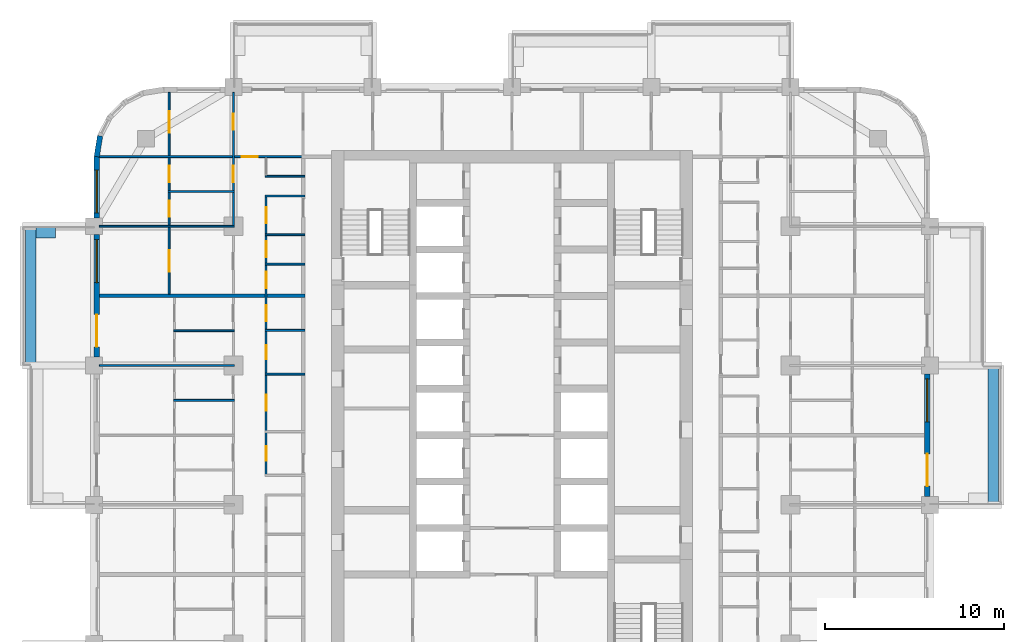
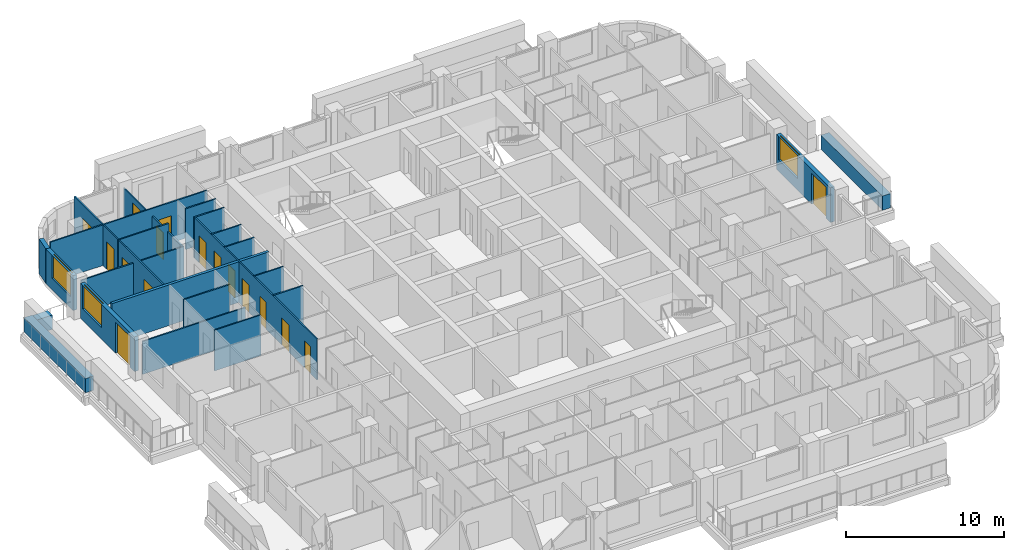
# One storey, part 10 of 18: 23 walls, 16 doors, 3 windows, 19 openings.
"""IFC4 building model written with IfcOpenShell, lengths in metres."""

from ifc_helpers import new_model, si_unit, direction, frame, frame_2d, origin, place, context, subcontext, project, spatial, rectangle, extrude, material, layer, layer_set, type_object, element, fill, save


model = new_model("IFC4")

# Units and contexts
model_context = context("Model", 3, precision=1e-05, world=origin(), true_north=direction((0.0, 1.0)))
body_context = subcontext(model_context, "Body", "Model", "MODEL_VIEW")
ifc_project = project(units=[si_unit("LENGTHUNIT", "METRE"), si_unit("AREAUNIT", "SQUARE_METRE"), si_unit("VOLUMEUNIT", "CUBIC_METRE"), si_unit("PLANEANGLEUNIT", "RADIAN"), si_unit("MASSUNIT", "GRAM", prefix="KILO")], contexts=[model_context])

# Site, building, storey
site_placement = place(None, origin())
site = spatial("IfcSite", under=ifc_project, at=site_placement, CompositionType="ELEMENT")
building_placement = place(site_placement, origin())
building = spatial("IfcBuilding", under=site, at=building_placement, Name="Ludao Terraces", CompositionType="ELEMENT")
storey_placement = place(building_placement, frame((0.0, 0.0, 75.0)))
storey = spatial("IfcBuildingStorey", under=building, at=storey_placement, Name="L20", CompositionType="ELEMENT", Elevation=75.0)

# Walls
ifc_material_1 = material(Name="Concrete C40", Category="concrete")
ifc_layer_1 = layer(ifc_material_1, 0.60009765625)
ifc_layer_set_1 = layer_set([ifc_layer_1], Name="ENV Planter trough 600")
wall_type_1 = type_object("IfcWallType", Name="ENV Planter trough 600", PredefinedType="USERDEFINED", material=ifc_layer_set_1)
for number, where, z_axis, x_axis, name in (
    (1, (111.949951171875, 65.0, 0.0), (0.0, 0.0, 1.0), (0.0, 1.0, 0.0), "PL-L20-E3"),
    (2, (58.050048828125, 72.800048828125, 0.0), (0.0, 0.0, 1.0), (0.0, 1.0, 0.0), "PL-L20-W4"),
):
    element("IfcWall", number, at=place(storey_placement, frame(where, z_axis=z_axis, x_axis=x_axis)), inside=storey, type_object=wall_type_1, Name=name, ObjectType="PLANTER", PredefinedType="USERDEFINED", context=body_context, shape_type="SweptSolid", body=[
        extrude(rectangle(XDim=7.800048828125, YDim=0.60009765625, at=frame_2d((3.89990234375, 0.0))), origin(), (0.0, 0.0, 1.0), 1.10009765625),
    ])
wall_1_placement = place(storey_placement, frame((58.35009765625, 80.25, 0.0), z_axis=(0.0, 0.0, 1.0), x_axis=(1.0, 0.0, 0.0)))
element("IfcWall", 3, at=wall_1_placement, inside=storey, type_object=wall_type_1, Name="PL-L20-W4-SB", ObjectType="PLANTER", PredefinedType="USERDEFINED", context=body_context, shape_type="SweptSolid", body=[
    extrude(rectangle(XDim=1.099853515625, YDim=0.60009765625, at=frame_2d((0.5498046875, 0.0))), origin(), (0.0, 0.0, 1.0), 1.10009765625),
])

# Wall, openings, door, window
ifc_material_2 = material(Name="Granite cladding", Category="masonry")
ifc_layer_2 = layer(ifc_material_2, 0.0400390625, Category="stone")
ifc_material_3 = material(Name="Mineral wool")
ifc_layer_3 = layer(ifc_material_3, 0.06005859375)
ifc_layer_4 = layer(ifc_material_1, 0.199951171875, Category="concrete")
ifc_layer_set_2 = layer_set([ifc_layer_2, ifc_layer_3, ifc_layer_4], Name="ENV Stone-clad wall 300")
wall_type_2 = type_object("IfcWallType", Name="ENV Stone-clad wall 300", PredefinedType="SOLIDWALL", material=ifc_layer_set_2)
wall_2_placement = place(storey_placement, frame((108.25, 65.47509765625, 0.0), z_axis=(0.0, 0.0, 1.0), x_axis=(0.0, 1.0, 0.0)))
wall_2 = element("IfcWall", 4, at=wall_2_placement, inside=storey, type_object=wall_type_2, Name="EW-L20-E4", PredefinedType="SOLIDWALL", context=body_context, shape_type="SweptSolid", body=[
    extrude(rectangle(XDim=6.849853515625, YDim=0.300048828125, at=frame_2d((3.4248046875, 0.0))), origin(), (0.0, 0.0, 1.0), 2.699951171875),
])
opening_1_placement = place(wall_2_placement, frame((0.574951171875, 0.0, 0.0)))
opening_1 = element("IfcOpeningElement", 5, at=opening_1_placement, cuts=wall_2, Name="Opening BD", PredefinedType="OPENING", context=body_context, shape_type="SweptSolid", body=[
    extrude(rectangle(XDim=1.800048828125, YDim=2.39990234375, at=frame_2d((0.89990234375, 1.199951171875))), frame((0.0, 0.16015625, 0.0), z_axis=(0.0, -1.0, 0.0), x_axis=(1.0, 0.0, 0.0)), (0.0, 0.0, 1.0), 0.320068359375),
])
opening_2_placement = place(wall_2_placement, frame((4.175048828125, 0.0, 0.89990234375)))
opening_2 = element("IfcOpeningElement", 6, at=opening_2_placement, cuts=wall_2, Name="Opening W1", PredefinedType="OPENING", context=body_context, shape_type="SweptSolid", body=[
    extrude(rectangle(XDim=2.39990234375, YDim=1.800048828125, at=frame_2d((1.199951171875, 0.89990234375))), frame((0.0, 0.16015625, 0.0), z_axis=(0.0, -1.0, 0.0), x_axis=(1.0, 0.0, 0.0)), (0.0, 0.0, 1.0), 0.320068359375),
])
ifc_material_4 = material(Name="Aluminium glazed door", Category="aluminium")
ifc_layer_5 = layer(ifc_material_4, 0.06005859375)
ifc_layer_set_3 = layer_set([ifc_layer_5], Name="ENV Balcony door BD 1800x2400")
door_type_1 = type_object("IfcDoorType", Name="ENV Balcony door BD 1800x2400", OperationType="DOUBLE_DOOR_SINGLE_SWING", PredefinedType="DOOR", material=ifc_layer_set_3)
door_1_placement = place(opening_1_placement, origin())
door_1 = element("IfcDoor", 7, at=door_1_placement, inside=storey, type_object=door_type_1, Name="BD-L20-E4-1", OperationType="DOUBLE_DOOR_SINGLE_SWING", OverallHeight=2.39990234375, OverallWidth=1.800048828125, PredefinedType="DOOR", context=body_context, shape_type="SweptSolid", body=[
    extrude(rectangle(XDim=1.800048828125, YDim=2.39990234375, at=frame_2d((0.89990234375, 1.199951171875))), frame((0.0, 0.02490234375, 0.0), z_axis=(0.0, -1.0, 0.0), x_axis=(1.0, 0.0, 0.0)), (0.0, 0.0, 1.0), 0.050048828125),
])
fill(opening_1, door_1)
ifc_material_5 = material(Name="Clear glass in aluminium frame", Category="aluminium")
ifc_layer_6 = layer(ifc_material_5, 0.06005859375)
ifc_layer_set_4 = layer_set([ifc_layer_6], Name="ENV Window W1 2400x1800")
window_type = type_object("IfcWindowType", Name="ENV Window W1 2400x1800", PartitioningType="DOUBLE_PANEL_VERTICAL", PredefinedType="WINDOW", material=ifc_layer_set_4)
window_1_placement = place(opening_2_placement, origin())
window_1 = element("IfcWindow", 8, at=window_1_placement, inside=storey, type_object=window_type, Name="W-L20-E4-2", OverallHeight=1.800048828125, OverallWidth=2.39990234375, PartitioningType="DOUBLE_PANEL_VERTICAL", PredefinedType="WINDOW", context=body_context, shape_type="SweptSolid", body=[
    extrude(rectangle(XDim=2.39990234375, YDim=1.800048828125, at=frame_2d((1.199951171875, 0.89990234375))), frame((0.0, 0.030029296875, 0.0), z_axis=(0.0, -1.0, 0.0), x_axis=(1.0, 0.0, 0.0)), (0.0, 0.0, 1.0), 0.06005859375),
])
fill(opening_2, window_1)

wall_3_placement = place(storey_placement, frame((61.75, 73.27490234375, 0.0), z_axis=(0.0, 0.0, 1.0), x_axis=(0.0, 1.0, 0.0)))
wall_3 = element("IfcWall", 9, at=wall_3_placement, inside=storey, type_object=wall_type_2, Name="EW-L20-W5", PredefinedType="SOLIDWALL", context=body_context, shape_type="SweptSolid", body=[
    extrude(rectangle(XDim=6.85009765625, YDim=0.300048828125, at=frame_2d((3.425048828125, 0.0))), origin(), (0.0, 0.0, 1.0), 2.699951171875),
])
opening_3_placement = place(wall_3_placement, frame((0.574951171875, 0.0, 0.0)))
opening_3 = element("IfcOpeningElement", 10, at=opening_3_placement, cuts=wall_3, Name="Opening BD", PredefinedType="OPENING", context=body_context, shape_type="SweptSolid", body=[
    extrude(rectangle(XDim=1.800048828125, YDim=2.39990234375, at=frame_2d((0.89990234375, 1.199951171875))), frame((0.0, 0.16015625, 0.0), z_axis=(0.0, -1.0, 0.0), x_axis=(1.0, 0.0, 0.0)), (0.0, 0.0, 1.0), 0.320068359375),
])
opening_4_placement = place(wall_3_placement, frame((4.175048828125, 0.0, 0.89990234375)))
opening_4 = element("IfcOpeningElement", 11, at=opening_4_placement, cuts=wall_3, Name="Opening W1", PredefinedType="OPENING", context=body_context, shape_type="SweptSolid", body=[
    extrude(rectangle(XDim=2.39990234375, YDim=1.800048828125, at=frame_2d((1.199951171875, 0.89990234375))), frame((0.0, 0.16015625, 0.0), z_axis=(0.0, -1.0, 0.0), x_axis=(1.0, 0.0, 0.0)), (0.0, 0.0, 1.0), 0.320068359375),
])
door_2_placement = place(opening_3_placement, origin())
door_2 = element("IfcDoor", 12, at=door_2_placement, inside=storey, type_object=door_type_1, Name="BD-L20-W5-1", OperationType="DOUBLE_DOOR_SINGLE_SWING", OverallHeight=2.39990234375, OverallWidth=1.800048828125, PredefinedType="DOOR", context=body_context, shape_type="SweptSolid", body=[
    extrude(rectangle(XDim=1.800048828125, YDim=2.39990234375, at=frame_2d((0.89990234375, 1.199951171875))), frame((0.0, 0.02490234375, 0.0), z_axis=(0.0, -1.0, 0.0), x_axis=(1.0, 0.0, 0.0)), (0.0, 0.0, 1.0), 0.050048828125),
])
fill(opening_3, door_2)
window_2_placement = place(opening_4_placement, origin())
window_2 = element("IfcWindow", 13, at=window_2_placement, inside=storey, type_object=window_type, Name="W-L20-W5-2", OverallHeight=1.800048828125, OverallWidth=2.39990234375, PartitioningType="DOUBLE_PANEL_VERTICAL", PredefinedType="WINDOW", context=body_context, shape_type="SweptSolid", body=[
    extrude(rectangle(XDim=2.39990234375, YDim=1.800048828125, at=frame_2d((1.199951171875, 0.89990234375))), frame((0.0, 0.030029296875, 0.0), z_axis=(0.0, -1.0, 0.0), x_axis=(1.0, 0.0, 0.0)), (0.0, 0.0, 1.0), 0.06005859375),
])
fill(opening_4, window_2)

# Wall, opening, window
wall_4_placement = place(storey_placement, frame((61.75, 81.074951171875, 0.0), z_axis=(0.0, 0.0, 1.0), x_axis=(0.0, 1.0, 0.0)))
wall_4 = element("IfcWall", 14, at=wall_4_placement, inside=storey, type_object=wall_type_2, Name="EW-L20-W6", PredefinedType="SOLIDWALL", context=body_context, shape_type="SweptSolid", body=[
    extrude(rectangle(XDim=3.425048828125, YDim=0.300048828125, at=frame_2d((1.71240234375, 0.0))), origin(), (0.0, 0.0, 1.0), 2.699951171875),
])
opening_5_placement = place(wall_4_placement, frame((0.27490234375, 0.0, 0.89990234375)))
opening_5 = element("IfcOpeningElement", 15, at=opening_5_placement, cuts=wall_4, Name="Opening W1", PredefinedType="OPENING", context=body_context, shape_type="SweptSolid", body=[
    extrude(rectangle(XDim=2.39990234375, YDim=1.800048828125, at=frame_2d((1.199951171875, 0.89990234375))), frame((0.0, 0.16015625, 0.0), z_axis=(0.0, -1.0, 0.0), x_axis=(1.0, 0.0, 0.0)), (0.0, 0.0, 1.0), 0.320068359375),
])
window_3_placement = place(opening_5_placement, origin())
window_3 = element("IfcWindow", 16, at=window_3_placement, inside=storey, type_object=window_type, Name="W-L20-W6-1", OverallHeight=1.800048828125, OverallWidth=2.39990234375, PartitioningType="DOUBLE_PANEL_VERTICAL", PredefinedType="WINDOW", context=body_context, shape_type="SweptSolid", body=[
    extrude(rectangle(XDim=2.39990234375, YDim=1.800048828125, at=frame_2d((1.199951171875, 0.89990234375))), frame((0.0, 0.030029296875, 0.0), z_axis=(0.0, -1.0, 0.0), x_axis=(1.0, 0.0, 0.0)), (0.0, 0.0, 1.0), 0.06005859375),
])
fill(opening_5, window_3)

# Walls
wall_5_placement = place(storey_placement, frame((61.93359375, 85.65869140625, 0.0), z_axis=(0.0, 0.0, 1.0), x_axis=(-0.156496880861, -0.987678452879, 0.0)))
element("IfcWall", 17, at=wall_5_placement, inside=storey, type_object=wall_type_2, Name="EW-L20-NW5", PredefinedType="SOLIDWALL", context=body_context, shape_type="SweptSolid", body=[
    extrude(rectangle(XDim=1.173095703125, YDim=0.300048828125, at=frame_2d((0.58642578125, 0.0))), origin(), (0.0, 0.0, 1.0), 2.699951171875),
])
ifc_material_6 = material(Name="Gypsum plasterboard", Category="gypsum")
ifc_layer_7 = layer(ifc_material_6, 0.012451171875, Category="gypsum")
ifc_layer_8 = layer(ifc_material_3, 0.06005859375, Name="insulation")
ifc_material_7 = material(Name="Steel Q235", Category="steel")
ifc_layer_9 = layer(ifc_material_7, 0.014892578125, Name="stud")
ifc_layer_10 = layer(ifc_material_6, 0.012451171875, Category="gypsum")
ifc_layer_set_5 = layer_set([ifc_layer_7, ifc_layer_8, ifc_layer_9, ifc_layer_10], Name="INT Partition 100")
wall_type_3 = type_object("IfcWallType", Name="INT Partition 100", PredefinedType="PARTITIONING", material=ifc_layer_set_5)
wall_6_placement = place(storey_placement, frame((66.050048828125, 70.85009765625, 0.0), z_axis=(0.0, 0.0, 1.0), x_axis=(1.0, 0.0, 0.0)))
element("IfcWall", 18, at=wall_6_placement, inside=storey, type_object=wall_type_3, Name="PW-L20-PW052", PredefinedType="PARTITIONING", context=body_context, shape_type="SweptSolid", body=[
    extrude(rectangle(XDim=3.400146484375, YDim=0.10009765625, at=frame_2d((1.7001953125, 0.0))), origin(), (0.0, 0.0, 1.0), 3.14990234375),
])
wall_7_placement = place(storey_placement, frame((71.18017578125, 72.320068359375, 0.0), z_axis=(0.0, 0.0, 1.0), x_axis=(1.0, 0.0, 0.0)))
element("IfcWall", 19, at=wall_7_placement, inside=storey, type_object=wall_type_3, Name="PW-L20-PW056", PredefinedType="PARTITIONING", context=body_context, shape_type="SweptSolid", body=[
    extrude(rectangle(XDim=2.219970703125, YDim=0.10009765625, at=frame_2d((1.10986328125, 0.0))), origin(), (0.0, 0.0, 1.0), 3.14990234375),
])
wall_8_placement = place(storey_placement, frame((61.900146484375, 72.800048828125, 0.0), z_axis=(0.0, 0.0, 1.0), x_axis=(1.0, 0.0, 0.0)))
element("IfcWall", 20, at=wall_8_placement, inside=storey, type_object=wall_type_3, Name="PW-L20-PW057", PredefinedType="PARTITIONING", context=body_context, shape_type="SweptSolid", body=[
    extrude(rectangle(XDim=7.550048828125, YDim=0.10009765625, at=frame_2d((3.77490234375, 0.0))), origin(), (0.0, 0.0, 1.0), 2.550048828125),
])
wall_9_placement = place(storey_placement, frame((66.050048828125, 74.75, 0.0), z_axis=(0.0, 0.0, 1.0), x_axis=(1.0, 0.0, 0.0)))
element("IfcWall", 21, at=wall_9_placement, inside=storey, type_object=wall_type_3, Name="PW-L20-PW060", PredefinedType="PARTITIONING", context=body_context, shape_type="SweptSolid", body=[
    extrude(rectangle(XDim=3.400146484375, YDim=0.10009765625, at=frame_2d((1.7001953125, 0.0))), origin(), (0.0, 0.0, 1.0), 3.14990234375),
])
for number, where, z_axis, x_axis, name in (
    (22, (71.18017578125, 74.77001953125, 0.0), (0.0, 0.0, 1.0), (1.0, 0.0, 0.0), "PW-L20-PW061"),
    (23, (71.18017578125, 78.47998046875, 0.0), (0.0, 0.0, 1.0), (1.0, 0.0, 0.0), "PW-L20-PW066"),
    (24, (71.18017578125, 80.1298828125, 0.0), (0.0, 0.0, 1.0), (1.0, 0.0, 0.0), "PW-L20-PW068"),
):
    element("IfcWall", number, at=place(storey_placement, frame(where, z_axis=z_axis, x_axis=x_axis)), inside=storey, type_object=wall_type_3, Name=name, PredefinedType="PARTITIONING", context=body_context, shape_type="SweptSolid", body=[
        extrude(rectangle(XDim=2.219970703125, YDim=0.10009765625, at=frame_2d((1.10986328125, 0.0))), origin(), (0.0, 0.0, 1.0), 3.14990234375),
    ])
wall_10_placement = place(storey_placement, frame((61.900146484375, 80.60009765625, 0.0), z_axis=(0.0, 0.0, 1.0), x_axis=(1.0, 0.0, 0.0)))
element("IfcWall", 25, at=wall_10_placement, inside=storey, type_object=wall_type_3, Name="PW-L20-PW069", PredefinedType="PARTITIONING", context=body_context, shape_type="SweptSolid", body=[
    extrude(rectangle(XDim=7.550048828125, YDim=0.10009765625, at=frame_2d((3.77490234375, 0.0))), origin(), (0.0, 0.0, 1.0), 2.550048828125),
])
wall_11_placement = place(storey_placement, frame((71.18017578125, 82.300048828125, 0.0), z_axis=(0.0, 0.0, 1.0), x_axis=(1.0, 0.0, 0.0)))
element("IfcWall", 26, at=wall_11_placement, inside=storey, type_object=wall_type_3, Name="PW-L20-PW072", PredefinedType="PARTITIONING", context=body_context, shape_type="SweptSolid", body=[
    extrude(rectangle(XDim=2.219970703125, YDim=0.10009765625, at=frame_2d((1.10986328125, 0.0))), origin(), (0.0, 0.0, 1.0), 3.14990234375),
])
wall_12_placement = place(storey_placement, frame((65.75, 82.550048828125, 0.0), z_axis=(0.0, 0.0, 1.0), x_axis=(1.0, 0.0, 0.0)))
element("IfcWall", 27, at=wall_12_placement, inside=storey, type_object=wall_type_3, Name="PW-L20-PW073", PredefinedType="PARTITIONING", context=body_context, shape_type="SweptSolid", body=[
    extrude(rectangle(XDim=3.7001953125, YDim=0.10009765625, at=frame_2d((1.85009765625, 0.0))), origin(), (0.0, 0.0, 1.0), 3.14990234375),
])
wall_13_placement = place(storey_placement, frame((71.18017578125, 83.39990234375, 0.0), z_axis=(0.0, 0.0, 1.0), x_axis=(1.0, 0.0, 0.0)))
element("IfcWall", 28, at=wall_13_placement, inside=storey, type_object=wall_type_3, Name="PW-L20-PW076", PredefinedType="PARTITIONING", context=body_context, shape_type="SweptSolid", body=[
    extrude(rectangle(XDim=2.219970703125, YDim=0.10009765625, at=frame_2d((1.10986328125, 0.0))), origin(), (0.0, 0.0, 1.0), 3.14990234375),
])

# Wall, opening, door
wall_14_placement = place(storey_placement, frame((61.900146484375, 84.5, 0.0), z_axis=(0.0, 0.0, 1.0), x_axis=(1.0, 0.0, 0.0)))
wall_14 = element("IfcWall", 29, at=wall_14_placement, inside=storey, type_object=wall_type_3, Name="PW-L20-PW077", PredefinedType="PARTITIONING", context=body_context, shape_type="SweptSolid", body=[
    extrude(rectangle(XDim=11.5, YDim=0.10009765625, at=frame_2d((5.75, 0.0))), origin(), (0.0, 0.0, 1.0), 3.14990234375),
])
opening_6_placement = place(wall_14_placement, frame((7.965087890625, 0.0, 0.0)))
opening_6 = element("IfcOpeningElement", 30, at=opening_6_placement, cuts=wall_14, Name="Opening R06-155", PredefinedType="OPENING", context=body_context, shape_type="SweptSolid", body=[
    extrude(rectangle(XDim=0.89990234375, YDim=2.10009765625, at=frame_2d((0.449951171875, 1.050048828125))), frame((0.0, 0.06005859375, 0.0), z_axis=(0.0, -1.0, 0.0), x_axis=(1.0, 0.0, 0.0)), (0.0, 0.0, 1.0), 0.1201171875),
])
ifc_material_8 = material(Name="Timber door leaf", Category="wood")
door_type_2 = type_object("IfcDoorType", Name="INT Room door 900", OperationType="SINGLE_SWING_LEFT", PredefinedType="DOOR", material=ifc_material_8)
door_3_placement = place(opening_6_placement, origin())
door_3 = element("IfcDoor", 31, at=door_3_placement, inside=storey, type_object=door_type_2, Name="DOOR 155", OperationType="SINGLE_SWING_RIGHT", OverallHeight=2.10009765625, OverallWidth=0.89990234375, PredefinedType="DOOR", context=body_context, shape_type="SweptSolid", body=[
    extrude(rectangle(XDim=0.89990234375, YDim=2.10009765625, at=frame_2d((0.449951171875, 1.050048828125))), frame((0.0, 0.02490234375, 0.0), z_axis=(0.0, -1.0, 0.0), x_axis=(1.0, 0.0, 0.0)), (0.0, 0.0, 1.0), 0.050048828125),
])
fill(opening_6, door_3)

# Wall, openings, doors
wall_15_placement = place(storey_placement, frame((65.800048828125, 76.800048828125, 0.0), z_axis=(0.0, 0.0, 1.0), x_axis=(0.0, 1.0, 0.0)))
wall_15 = element("IfcWall", 32, at=wall_15_placement, inside=storey, type_object=wall_type_3, Name="PW-L20-PW081", PredefinedType="PARTITIONING", context=body_context, shape_type="SweptSolid", body=[
    extrude(rectangle(XDim=11.300048828125, YDim=0.10009765625, at=frame_2d((5.64990234375, 0.0))), origin(), (0.0, 0.0, 1.0), 3.14990234375),
])
opening_7_placement = place(wall_15_placement, frame((1.25, 0.0, 0.0)))
opening_7 = element("IfcOpeningElement", 33, at=opening_7_placement, cuts=wall_15, Name="Opening R06-133", PredefinedType="OPENING", context=body_context, shape_type="SweptSolid", body=[
    extrude(rectangle(XDim=1.199951171875, YDim=2.10009765625, at=frame_2d((0.60009765625, 1.050048828125))), frame((0.0, 0.06005859375, 0.0), z_axis=(0.0, -1.0, 0.0), x_axis=(1.0, 0.0, 0.0)), (0.0, 0.0, 1.0), 0.1201171875),
])
opening_8_placement = place(wall_15_placement, frame((4.324951171875, 0.0, 0.0)))
opening_8 = element("IfcOpeningElement", 34, at=opening_8_placement, cuts=wall_15, Name="Opening R06-143", PredefinedType="OPENING", context=body_context, shape_type="SweptSolid", body=[
    extrude(rectangle(XDim=0.89990234375, YDim=2.10009765625, at=frame_2d((0.449951171875, 1.050048828125))), frame((0.0, 0.06005859375, 0.0), z_axis=(0.0, -1.0, 0.0), x_axis=(1.0, 0.0, 0.0)), (0.0, 0.0, 1.0), 0.1201171875),
])
opening_9_placement = place(wall_15_placement, frame((6.27490234375, 0.0, 0.0)))
opening_9 = element("IfcOpeningElement", 35, at=opening_9_placement, cuts=wall_15, Name="Opening R06-148", PredefinedType="OPENING", context=body_context, shape_type="SweptSolid", body=[
    extrude(rectangle(XDim=0.89990234375, YDim=2.10009765625, at=frame_2d((0.449951171875, 1.050048828125))), frame((0.0, 0.06005859375, 0.0), z_axis=(0.0, -1.0, 0.0), x_axis=(1.0, 0.0, 0.0)), (0.0, 0.0, 1.0), 0.1201171875),
])
opening_10_placement = place(wall_15_placement, frame((9.050048828125, 0.0, 0.0)))
opening_10 = element("IfcOpeningElement", 36, at=opening_10_placement, cuts=wall_15, Name="Opening R06-157", PredefinedType="OPENING", context=body_context, shape_type="SweptSolid", body=[
    extrude(rectangle(XDim=1.199951171875, YDim=2.10009765625, at=frame_2d((0.60009765625, 1.050048828125))), frame((0.0, 0.06005859375, 0.0), z_axis=(0.0, -1.0, 0.0), x_axis=(1.0, 0.0, 0.0)), (0.0, 0.0, 1.0), 0.1201171875),
])
door_type_3 = type_object("IfcDoorType", Name="INT Bathroom door 900", OperationType="SINGLE_SWING_LEFT", PredefinedType="DOOR", material=ifc_material_8)
door_4_placement = place(opening_8_placement, origin())
door_4 = element("IfcDoor", 37, at=door_4_placement, inside=storey, type_object=door_type_3, Name="DOOR 143", OperationType="SINGLE_SWING_RIGHT", OverallHeight=2.10009765625, OverallWidth=0.89990234375, PredefinedType="DOOR", context=body_context, shape_type="SweptSolid", body=[
    extrude(rectangle(XDim=0.89990234375, YDim=2.10009765625, at=frame_2d((0.449951171875, 1.050048828125))), frame((0.0, 0.02490234375, 0.0), z_axis=(0.0, -1.0, 0.0), x_axis=(1.0, 0.0, 0.0)), (0.0, 0.0, 1.0), 0.050048828125),
])
fill(opening_8, door_4)
door_type_4 = type_object("IfcDoorType", Name="INT Double door 1200", OperationType="DOUBLE_DOOR_SINGLE_SWING", PredefinedType="DOOR", material=ifc_material_8)
door_5_placement = place(opening_7_placement, origin())
door_5 = element("IfcDoor", 38, at=door_5_placement, inside=storey, type_object=door_type_4, Name="DOOR 133", OperationType="DOUBLE_DOOR_SINGLE_SWING", OverallHeight=2.10009765625, OverallWidth=1.199951171875, PredefinedType="DOOR", context=body_context, shape_type="SweptSolid", body=[
    extrude(rectangle(XDim=1.199951171875, YDim=2.10009765625, at=frame_2d((0.60009765625, 1.050048828125))), frame((0.0, 0.02490234375, 0.0), z_axis=(0.0, -1.0, 0.0), x_axis=(1.0, 0.0, 0.0)), (0.0, 0.0, 1.0), 0.050048828125),
])
fill(opening_7, door_5)
door_6_placement = place(opening_10_placement, origin())
door_6 = element("IfcDoor", 39, at=door_6_placement, inside=storey, type_object=door_type_4, Name="DOOR 157", OperationType="DOUBLE_DOOR_SINGLE_SWING", OverallHeight=2.10009765625, OverallWidth=1.199951171875, PredefinedType="DOOR", context=body_context, shape_type="SweptSolid", body=[
    extrude(rectangle(XDim=1.199951171875, YDim=2.10009765625, at=frame_2d((0.60009765625, 1.050048828125))), frame((0.0, 0.02490234375, 0.0), z_axis=(0.0, -1.0, 0.0), x_axis=(1.0, 0.0, 0.0)), (0.0, 0.0, 1.0), 0.050048828125),
])
fill(opening_10, door_6)
door_7_placement = place(opening_9_placement, origin())
door_7 = element("IfcDoor", 40, at=door_7_placement, inside=storey, type_object=door_type_2, Name="DOOR 148", OperationType="SINGLE_SWING_RIGHT", OverallHeight=2.10009765625, OverallWidth=0.89990234375, PredefinedType="DOOR", context=body_context, shape_type="SweptSolid", body=[
    extrude(rectangle(XDim=0.89990234375, YDim=2.10009765625, at=frame_2d((0.449951171875, 1.050048828125))), frame((0.0, 0.02490234375, 0.0), z_axis=(0.0, -1.0, 0.0), x_axis=(1.0, 0.0, 0.0)), (0.0, 0.0, 1.0), 0.050048828125),
])
fill(opening_9, door_7)

wall_16_placement = place(storey_placement, frame((69.39990234375, 80.60009765625, 0.0), z_axis=(0.0, 0.0, 1.0), x_axis=(0.0, 1.0, 0.0)))
wall_16 = element("IfcWall", 41, at=wall_16_placement, inside=storey, type_object=wall_type_3, Name="PW-L20-PW083-3", PredefinedType="PARTITIONING", context=body_context, shape_type="SweptSolid", body=[
    extrude(rectangle(XDim=7.5, YDim=0.10009765625, at=frame_2d((3.75, 0.0))), origin(), (0.0, 0.0, 1.0), 2.550048828125),
])
opening_11_placement = place(wall_16_placement, frame((2.47509765625, 0.0, 0.0)))
opening_11 = element("IfcOpeningElement", 42, at=opening_11_placement, cuts=wall_16, Name="Opening R06-149", PredefinedType="OPENING", context=body_context, shape_type="SweptSolid", body=[
    extrude(rectangle(XDim=0.89990234375, YDim=2.10009765625, at=frame_2d((0.449951171875, 1.050048828125))), frame((0.0, 0.06005859375, 0.0), z_axis=(0.0, -1.0, 0.0), x_axis=(1.0, 0.0, 0.0)), (0.0, 0.0, 1.0), 0.1201171875),
])
opening_12_placement = place(wall_16_placement, frame((5.39990234375, 0.0, 0.0)))
opening_12 = element("IfcOpeningElement", 43, at=opening_12_placement, cuts=wall_16, Name="Opening R06-158", PredefinedType="OPENING", context=body_context, shape_type="SweptSolid", body=[
    extrude(rectangle(XDim=0.89990234375, YDim=2.10009765625, at=frame_2d((0.449951171875, 1.050048828125))), frame((0.0, 0.06005859375, 0.0), z_axis=(0.0, -1.0, 0.0), x_axis=(1.0, 0.0, 0.0)), (0.0, 0.0, 1.0), 0.1201171875),
])
door_8_placement = place(opening_11_placement, origin())
door_8 = element("IfcDoor", 44, at=door_8_placement, inside=storey, type_object=door_type_2, Name="DOOR 149", OperationType="SINGLE_SWING_LEFT", OverallHeight=2.10009765625, OverallWidth=0.89990234375, PredefinedType="DOOR", context=body_context, shape_type="SweptSolid", body=[
    extrude(rectangle(XDim=0.89990234375, YDim=2.10009765625, at=frame_2d((0.449951171875, 1.050048828125))), frame((0.0, 0.02490234375, 0.0), z_axis=(0.0, -1.0, 0.0), x_axis=(1.0, 0.0, 0.0)), (0.0, 0.0, 1.0), 0.050048828125),
])
fill(opening_11, door_8)
door_9_placement = place(opening_12_placement, origin())
door_9 = element("IfcDoor", 45, at=door_9_placement, inside=storey, type_object=door_type_2, Name="DOOR 158", OperationType="SINGLE_SWING_RIGHT", OverallHeight=2.10009765625, OverallWidth=0.89990234375, PredefinedType="DOOR", context=body_context, shape_type="SweptSolid", body=[
    extrude(rectangle(XDim=0.89990234375, YDim=2.10009765625, at=frame_2d((0.449951171875, 1.050048828125))), frame((0.0, 0.02490234375, 0.0), z_axis=(0.0, -1.0, 0.0), x_axis=(1.0, 0.0, 0.0)), (0.0, 0.0, 1.0), 0.050048828125),
])
fill(opening_12, door_9)

wall_17_placement = place(storey_placement, frame((71.22998046875, 66.7001953125, 0.0), z_axis=(0.0, 0.0, 1.0), x_axis=(0.0, 1.0, 0.0)))
wall_17 = element("IfcWall", 46, at=wall_17_placement, inside=storey, type_object=wall_type_3, Name="PW-L20-PW086", PredefinedType="PARTITIONING", context=body_context, shape_type="SweptSolid", body=[
    extrude(rectangle(XDim=15.5498046875, YDim=0.10009765625, at=frame_2d((7.77490234375, 0.0))), origin(), (0.0, 0.0, 1.0), 3.14990234375),
])
opening_13_placement = place(wall_17_placement, frame((0.77490234375, 0.0, 0.0)))
opening_13 = element("IfcOpeningElement", 47, at=opening_13_placement, cuts=wall_17, Name="Opening R06-093", PredefinedType="OPENING", context=body_context, shape_type="SweptSolid", body=[
    extrude(rectangle(XDim=0.800048828125, YDim=2.10009765625, at=frame_2d((0.39990234375, 1.050048828125))), frame((0.0, 0.06005859375, 0.0), z_axis=(0.0, -1.0, 0.0), x_axis=(1.0, 0.0, 0.0)), (0.0, 0.0, 1.0), 0.1201171875),
])
opening_14_placement = place(wall_17_placement, frame((3.559814453125, 0.0, 0.0)))
opening_14 = element("IfcOpeningElement", 48, at=opening_14_placement, cuts=wall_17, Name="Opening R06-104", PredefinedType="OPENING", context=body_context, shape_type="SweptSolid", body=[
    extrude(rectangle(XDim=0.89990234375, YDim=2.10009765625, at=frame_2d((0.449951171875, 1.050048828125))), frame((0.0, 0.06005859375, 0.0), z_axis=(0.0, -1.0, 0.0), x_axis=(1.0, 0.0, 0.0)), (0.0, 0.0, 1.0), 0.1201171875),
])
opening_15_placement = place(wall_17_placement, frame((6.44482421875, 0.0, 0.0)))
opening_15 = element("IfcOpeningElement", 49, at=opening_15_placement, cuts=wall_17, Name="Opening R06-114", PredefinedType="OPENING", context=body_context, shape_type="SweptSolid", body=[
    extrude(rectangle(XDim=0.800048828125, YDim=2.10009765625, at=frame_2d((0.39990234375, 1.050048828125))), frame((0.0, 0.06005859375, 0.0), z_axis=(0.0, -1.0, 0.0), x_axis=(1.0, 0.0, 0.0)), (0.0, 0.0, 1.0), 0.1201171875),
])
opening_16_placement = place(wall_17_placement, frame((8.5849609375, 0.0, 0.0)))
opening_16 = element("IfcOpeningElement", 50, at=opening_16_placement, cuts=wall_17, Name="Opening R06-125", PredefinedType="OPENING", context=body_context, shape_type="SweptSolid", body=[
    extrude(rectangle(XDim=0.89990234375, YDim=2.10009765625, at=frame_2d((0.449951171875, 1.050048828125))), frame((0.0, 0.06005859375, 0.0), z_axis=(0.0, -1.0, 0.0), x_axis=(1.0, 0.0, 0.0)), (0.0, 0.0, 1.0), 0.1201171875),
])
opening_17_placement = place(wall_17_placement, frame((10.43994140625, 0.0, 0.0)))
opening_17 = element("IfcOpeningElement", 51, at=opening_17_placement, cuts=wall_17, Name="Opening R06-128", PredefinedType="OPENING", context=body_context, shape_type="SweptSolid", body=[
    extrude(rectangle(XDim=0.89990234375, YDim=2.10009765625, at=frame_2d((0.449951171875, 1.050048828125))), frame((0.0, 0.06005859375, 0.0), z_axis=(0.0, -1.0, 0.0), x_axis=(1.0, 0.0, 0.0)), (0.0, 0.0, 1.0), 0.1201171875),
])
opening_18_placement = place(wall_17_placement, frame((12.15478515625, 0.0, 0.0)))
opening_18 = element("IfcOpeningElement", 52, at=opening_18_placement, cuts=wall_17, Name="Opening R06-138", PredefinedType="OPENING", context=body_context, shape_type="SweptSolid", body=[
    extrude(rectangle(XDim=0.89990234375, YDim=2.10009765625, at=frame_2d((0.449951171875, 1.050048828125))), frame((0.0, 0.06005859375, 0.0), z_axis=(0.0, -1.0, 0.0), x_axis=(1.0, 0.0, 0.0)), (0.0, 0.0, 1.0), 0.1201171875),
])
opening_19_placement = place(wall_17_placement, frame((14.06494140625, 0.0, 0.0)))
opening_19 = element("IfcOpeningElement", 53, at=opening_19_placement, cuts=wall_17, Name="Opening R06-142", PredefinedType="OPENING", context=body_context, shape_type="SweptSolid", body=[
    extrude(rectangle(XDim=0.89990234375, YDim=2.10009765625, at=frame_2d((0.449951171875, 1.050048828125))), frame((0.0, 0.06005859375, 0.0), z_axis=(0.0, -1.0, 0.0), x_axis=(1.0, 0.0, 0.0)), (0.0, 0.0, 1.0), 0.1201171875),
])
door_10_placement = place(opening_16_placement, origin())
door_10 = element("IfcDoor", 54, at=door_10_placement, inside=storey, type_object=door_type_3, Name="DOOR 125", OperationType="SINGLE_SWING_LEFT", OverallHeight=2.10009765625, OverallWidth=0.89990234375, PredefinedType="DOOR", context=body_context, shape_type="SweptSolid", body=[
    extrude(rectangle(XDim=0.89990234375, YDim=2.10009765625, at=frame_2d((0.449951171875, 1.050048828125))), frame((0.0, 0.02490234375, 0.0), z_axis=(0.0, -1.0, 0.0), x_axis=(1.0, 0.0, 0.0)), (0.0, 0.0, 1.0), 0.050048828125),
])
fill(opening_16, door_10)
door_11_placement = place(opening_17_placement, origin())
door_11 = element("IfcDoor", 55, at=door_11_placement, inside=storey, type_object=door_type_3, Name="DOOR 128", OperationType="SINGLE_SWING_RIGHT", OverallHeight=2.10009765625, OverallWidth=0.89990234375, PredefinedType="DOOR", context=body_context, shape_type="SweptSolid", body=[
    extrude(rectangle(XDim=0.89990234375, YDim=2.10009765625, at=frame_2d((0.449951171875, 1.050048828125))), frame((0.0, 0.02490234375, 0.0), z_axis=(0.0, -1.0, 0.0), x_axis=(1.0, 0.0, 0.0)), (0.0, 0.0, 1.0), 0.050048828125),
])
fill(opening_17, door_11)
door_12_placement = place(opening_18_placement, origin())
door_12 = element("IfcDoor", 56, at=door_12_placement, inside=storey, type_object=door_type_3, Name="DOOR 138", OperationType="SINGLE_SWING_RIGHT", OverallHeight=2.10009765625, OverallWidth=0.89990234375, PredefinedType="DOOR", context=body_context, shape_type="SweptSolid", body=[
    extrude(rectangle(XDim=0.89990234375, YDim=2.10009765625, at=frame_2d((0.449951171875, 1.050048828125))), frame((0.0, 0.02490234375, 0.0), z_axis=(0.0, -1.0, 0.0), x_axis=(1.0, 0.0, 0.0)), (0.0, 0.0, 1.0), 0.050048828125),
])
fill(opening_18, door_12)
door_13_placement = place(opening_14_placement, origin())
door_13 = element("IfcDoor", 57, at=door_13_placement, inside=storey, type_object=door_type_2, Name="DOOR 104", OperationType="SINGLE_SWING_RIGHT", OverallHeight=2.10009765625, OverallWidth=0.89990234375, PredefinedType="DOOR", context=body_context, shape_type="SweptSolid", body=[
    extrude(rectangle(XDim=0.89990234375, YDim=2.10009765625, at=frame_2d((0.449951171875, 1.050048828125))), frame((0.0, 0.02490234375, 0.0), z_axis=(0.0, -1.0, 0.0), x_axis=(1.0, 0.0, 0.0)), (0.0, 0.0, 1.0), 0.050048828125),
])
fill(opening_14, door_13)
door_14_placement = place(opening_19_placement, origin())
door_14 = element("IfcDoor", 58, at=door_14_placement, inside=storey, type_object=door_type_2, Name="DOOR 142", OperationType="SINGLE_SWING_LEFT", OverallHeight=2.10009765625, OverallWidth=0.89990234375, PredefinedType="DOOR", context=body_context, shape_type="SweptSolid", body=[
    extrude(rectangle(XDim=0.89990234375, YDim=2.10009765625, at=frame_2d((0.449951171875, 1.050048828125))), frame((0.0, 0.02490234375, 0.0), z_axis=(0.0, -1.0, 0.0), x_axis=(1.0, 0.0, 0.0)), (0.0, 0.0, 1.0), 0.050048828125),
])
fill(opening_19, door_14)
door_type_5 = type_object("IfcDoorType", Name="INT Store door 800", OperationType="SINGLE_SWING_LEFT", PredefinedType="DOOR", material=ifc_material_8)
door_15_placement = place(opening_13_placement, origin())
door_15 = element("IfcDoor", 59, at=door_15_placement, inside=storey, type_object=door_type_5, Name="DOOR 093", OperationType="SINGLE_SWING_RIGHT", OverallHeight=2.10009765625, OverallWidth=0.800048828125, PredefinedType="DOOR", context=body_context, shape_type="SweptSolid", body=[
    extrude(rectangle(XDim=0.800048828125, YDim=2.10009765625, at=frame_2d((0.39990234375, 1.050048828125))), frame((0.0, 0.02490234375, 0.0), z_axis=(0.0, -1.0, 0.0), x_axis=(1.0, 0.0, 0.0)), (0.0, 0.0, 1.0), 0.050048828125),
])
fill(opening_13, door_15)
door_16_placement = place(opening_15_placement, origin())
door_16 = element("IfcDoor", 60, at=door_16_placement, inside=storey, type_object=door_type_5, Name="DOOR 114", OperationType="SINGLE_SWING_RIGHT", OverallHeight=2.10009765625, OverallWidth=0.800048828125, PredefinedType="DOOR", context=body_context, shape_type="SweptSolid", body=[
    extrude(rectangle(XDim=0.800048828125, YDim=2.10009765625, at=frame_2d((0.39990234375, 1.050048828125))), frame((0.0, 0.02490234375, 0.0), z_axis=(0.0, -1.0, 0.0), x_axis=(1.0, 0.0, 0.0)), (0.0, 0.0, 1.0), 0.050048828125),
])
fill(opening_15, door_16)

# Wall
ifc_material_9 = material(Name="Autoclaved aerated concrete block B06 A3.5", Category="concrete")
ifc_layer_11 = layer(ifc_material_9, 0.199951171875)
ifc_layer_set_6 = layer_set([ifc_layer_11], Name="INT Party wall 200")
wall_type_4 = type_object("IfcWallType", Name="INT Party wall 200", PredefinedType="PARTITIONING", material=ifc_layer_set_6)
wall_18_placement = place(storey_placement, frame((61.900146484375, 76.699951171875, 0.0), z_axis=(0.0, 0.0, 1.0), x_axis=(1.0, 0.0, 0.0)))
element("IfcWall", 61, at=wall_18_placement, inside=storey, type_object=wall_type_4, Name="PW-L20-PW062", PredefinedType="PARTITIONING", context=body_context, shape_type="SweptSolid", body=[
    extrude(rectangle(XDim=11.5, YDim=0.199951171875, at=frame_2d((5.75, 0.0))), origin(), (0.0, 0.0, 1.0), 3.14990234375),
])

save(model, "model.ifc")
